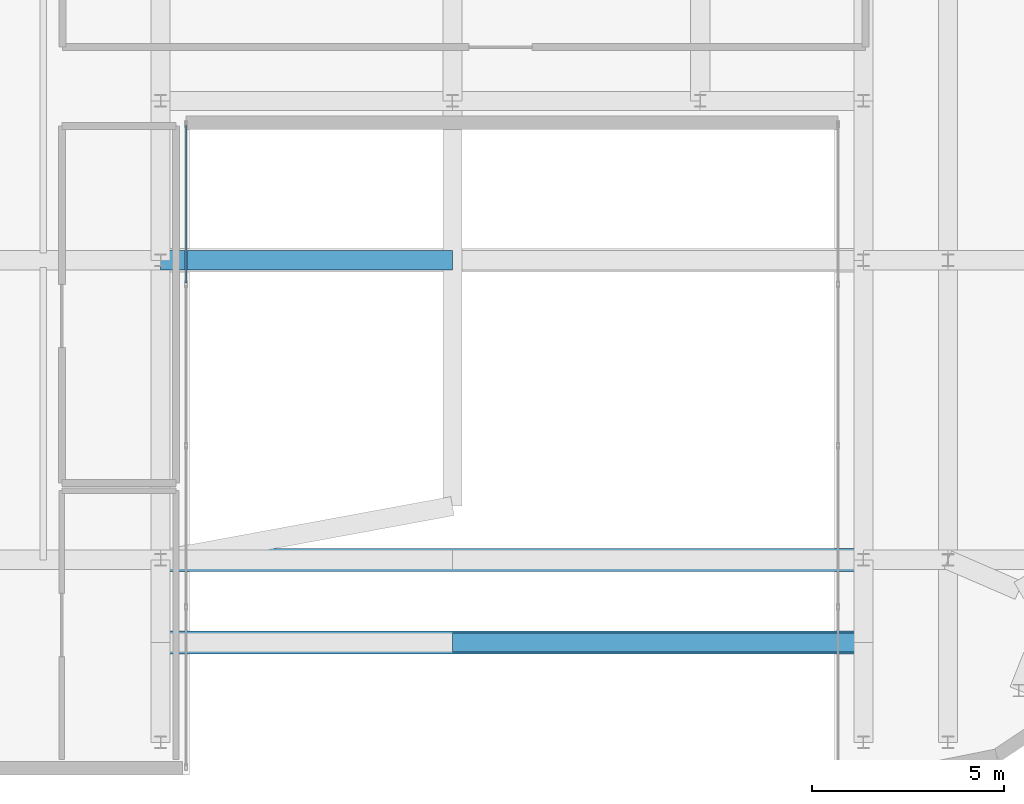
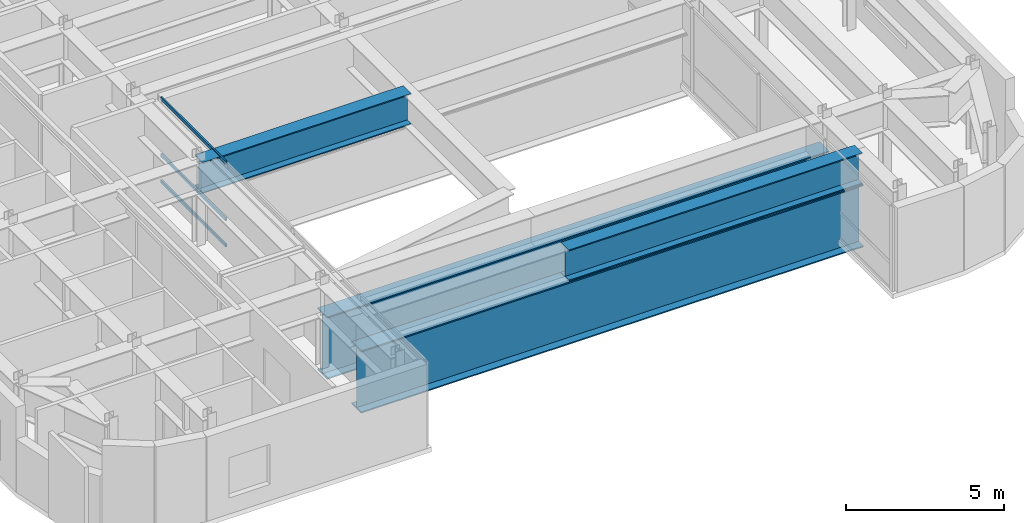
# One storey, part 7 of 21: 4 beams, 3 members, 1 element without a shape of its own.
"""IFC4 building model written with IfcOpenShell, lengths in metres."""

from ifc_helpers import new_model, si_unit, direction, frame, origin, origin_2d, place, context, subcontext, project, spatial, hollow_rectangle, i_section, extrude, source, transform, mapped, material, layer, layer_set, material_profile, profile_set, type_object, type_shapes, element, aggregate, save


model = new_model("IFC4")

# Units and contexts
model_context = context("Model", 3, precision=1e-05, world=origin(), true_north=direction((0.0, 1.0)))
body_context = subcontext(model_context, "Body", "Model", "MODEL_VIEW")
ifc_project = project(units=[si_unit("LENGTHUNIT", "METRE"), si_unit("AREAUNIT", "SQUARE_METRE"), si_unit("VOLUMEUNIT", "CUBIC_METRE"), si_unit("PLANEANGLEUNIT", "RADIAN"), si_unit("MASSUNIT", "GRAM", prefix="KILO")], contexts=[model_context])

# Site, building, storey
site_placement = place(None, origin())
site = spatial("IfcSite", under=ifc_project, at=site_placement, CompositionType="ELEMENT")
building_placement = place(site_placement, origin())
building = spatial("IfcBuilding", under=site, at=building_placement, Name="Tolvann Quenvar Hotel", CompositionType="ELEMENT")
storey_placement = place(building_placement, frame((0.0, 0.0, 266.5)))
storey = spatial("IfcBuildingStorey", under=building, at=storey_placement, Name="L71", CompositionType="ELEMENT", Elevation=266.5)

# Beams
ifc_material_1 = material(Name="Steel Grade 350", Category="steel")
ifc_material_profile_1 = material_profile(ifc_material_1, i_section(OverallWidth=0.5, OverallDepth=1.199951171875, WebThickness=0.01611328125, FlangeThickness=0.0400390625, at=origin_2d()), Name="1200WB455")
ifc_profile_set_1 = profile_set([ifc_material_profile_1], Name="Steel Grade 350")
beam_type_1 = type_object("IfcBeamType", Name="BM_TG_1200WB455", PredefinedType="USERDEFINED", material=ifc_profile_set_1)
shared_shape_1 = source(origin(), body_context, "Body", "SweptSolid", [
    extrude(i_section(OverallWidth=0.5, OverallDepth=1.199951171875, WebThickness=0.01611328125, FlangeThickness=0.0400390625, at=origin_2d()), origin(), (0.0, 0.0, 1.0), 7.60009765625),
])
beam_1_placement = place(storey_placement, frame((14.449951171875, 16.0, 2.64990234375), z_axis=(1.0, 0.0, 0.0), x_axis=(0.0, 1.0, 0.0)))
element("IfcBeam", 1, at=beam_1_placement, inside=storey, type_object=beam_type_1, Name="TG-L71-TOP-Y16A", ObjectType="TRANSFER GIRDER", PredefinedType="USERDEFINED", context=body_context, shape_type="MappedRepresentation", body=[
    mapped(shared_shape_1, transform((0.0, 0.0, 0.0), x_axis=(1.0, 0.0, 0.0), y_axis=(0.0, 1.0, 0.0), z_axis=(0.0, 0.0, 1.0), scale=1.0)),
])
ifc_material_profile_2 = material_profile(ifc_material_1, i_section(OverallWidth=0.60009765625, OverallDepth=2.39990234375, WebThickness=0.02001953125, FlangeThickness=0.044921875, at=origin_2d()), Name="2400WB655")
ifc_profile_set_2 = profile_set([ifc_material_profile_2], Name="Steel Grade 350")
beam_type_2 = type_object("IfcBeamType", Name="BM_TG_2400WB655", PredefinedType="USERDEFINED", material=ifc_profile_set_2)
shared_shape_2 = source(origin(), body_context, "Body", "SweptSolid", [
    extrude(i_section(OverallWidth=0.60009765625, OverallDepth=2.39990234375, WebThickness=0.02001953125, FlangeThickness=0.044921875, at=origin_2d()), origin(), (0.0, 0.0, 1.0), 18.300048828125),
])
type_shapes(beam_type_2, [shared_shape_2])
for number, where, z_axis, x_axis, name in (
    (2, (14.449951171875, 6.050048828125, 0.85009765625), (1.0, 0.0, 0.0), (0.0, 1.0, 0.0), "TG-L71-CAR-Y6"),
    (3, (14.449951171875, 8.199951171875, 0.85009765625), (1.0, 0.0, 0.0), (0.0, 1.0, 0.0), "TG-L71-CAR-Y8"),
):
    element("IfcBeam", number, at=place(storey_placement, frame(where, z_axis=z_axis, x_axis=x_axis)), inside=storey, type_object=beam_type_2, Name=name, ObjectType="TRANSFER GIRDER", PredefinedType="USERDEFINED", context=body_context, shape_type="MappedRepresentation", body=[
        mapped(shared_shape_2, transform((0.0, 0.0, 0.0), x_axis=(1.0, 0.0, 0.0), y_axis=(0.0, 1.0, 0.0), z_axis=(0.0, 0.0, 1.0), scale=1.0)),
    ])
shared_shape_3 = source(origin(), body_context, "Body", "SweptSolid", [
    extrude(i_section(OverallWidth=0.5, OverallDepth=1.199951171875, WebThickness=0.01611328125, FlangeThickness=0.0400390625, at=origin_2d()), origin(), (0.0, 0.0, 1.0), 10.699951171875),
])
type_shapes(beam_type_1, [shared_shape_1, shared_shape_3])
beam_2_placement = place(storey_placement, frame((22.050048828125, 6.050048828125, 2.64990234375), z_axis=(1.0, 0.0, 0.0), x_axis=(0.0, 1.0, 0.0)))
element("IfcBeam", 4, at=beam_2_placement, inside=storey, type_object=beam_type_1, Name="TG-L71-TOP-Y6B", ObjectType="TRANSFER GIRDER", PredefinedType="USERDEFINED", context=body_context, shape_type="MappedRepresentation", body=[
    mapped(shared_shape_3, transform((0.0, 0.0, 0.0), x_axis=(1.0, 0.0, 0.0), y_axis=(0.0, 1.0, 0.0), z_axis=(0.0, 0.0, 1.0), scale=1.0)),
])

# Curtain wall, members
ifc_material_2 = material(Name="Thermally broken anodised architectural aluminium 6063-T6 and laminated low-E glass", Category="aluminium")
ifc_layer = layer(ifc_material_2, 0.179931640625)
ifc_layer_set = layer_set([ifc_layer], Name="Thermally broken anodised architectural aluminium 6063-T6 and laminated low-E glass")
curtain_wall_type = type_object("IfcCurtainWallType", Name="CW_SYS_PORTAL_05", PredefinedType="USERDEFINED", material=ifc_layer_set)
curtain_wall_placement = place(storey_placement, origin())
curtain_wall = element("IfcCurtainWall", 5, at=curtain_wall_placement, inside=storey, type_object=curtain_wall_type, Name="Curtain Wall CW-PORTAL-05 (CWR-L71-E05)", ObjectType="UNITISED CURTAIN WALL", PredefinedType="USERDEFINED")
ifc_material_3 = material(Name="Anodised architectural aluminium 6063-T6 framing", Category="aluminium")
ifc_material_profile_3 = material_profile(ifc_material_3, hollow_rectangle(XDim=0.06005859375, YDim=0.1201171875, WallThickness=0.00341796875, at=origin_2d()), Name="120x60x3.5RHS")
ifc_profile_set_3 = profile_set([ifc_material_profile_3], Name="Anodised architectural aluminium 6063-T6 framing")
member_type = type_object("IfcMemberType", Name="CW_TRAN_120x60", PredefinedType="USERDEFINED", material=ifc_profile_set_3)
shared_shape_4 = source(origin(), body_context, "Body", "SweptSolid", [
    extrude(hollow_rectangle(XDim=0.06005859375, YDim=0.1201171875, WallThickness=0.00341796875, at=origin_2d()), origin(), (0.0, 0.0, 1.0), 4.094970703125),
])
type_shapes(member_type, [shared_shape_4])
member_1_placement = place(storey_placement, frame((15.110107421875, 15.409912109375, 0.030029296875), z_axis=(0.0, 1.0, 0.0), x_axis=(-1.0, 0.0, 0.0)))
member_1 = element("IfcMember", 6, at=member_1_placement, type_object=member_type, Name="CW-PORTAL-05 transom 4.1", ObjectType="TRANSOM", PredefinedType="USERDEFINED", context=body_context, shape_type="MappedRepresentation", body=[
    mapped(shared_shape_4, transform((0.0, 0.0, 0.0), x_axis=(1.0, 0.0, 0.0), y_axis=(0.0, 1.0, 0.0), z_axis=(0.0, 0.0, 1.0), scale=1.0)),
])
member_2_placement = place(storey_placement, frame((15.110107421875, 15.409912109375, 1.0400390625), z_axis=(0.0, 1.0, 0.0), x_axis=(-1.0, 0.0, 0.0)))
member_2 = element("IfcMember", 7, at=member_2_placement, type_object=member_type, Name="CW-PORTAL-05 transom 4.2", ObjectType="TRANSOM", PredefinedType="USERDEFINED", context=body_context, shape_type="MappedRepresentation", body=[
    mapped(shared_shape_4, transform((0.0, 0.0, 0.0), x_axis=(1.0, 0.0, 0.0), y_axis=(0.0, 1.0, 0.0), z_axis=(0.0, 0.0, 1.0), scale=1.0)),
])
member_3_placement = place(storey_placement, frame((15.110107421875, 15.409912109375, 3.219970703125), z_axis=(0.0, 1.0, 0.0), x_axis=(-1.0, 0.0, 0.0)))
member_3 = element("IfcMember", 8, at=member_3_placement, type_object=member_type, Name="CW-PORTAL-05 transom 4.3", ObjectType="TRANSOM", PredefinedType="USERDEFINED", context=body_context, shape_type="MappedRepresentation", body=[
    mapped(shared_shape_4, transform((0.0, 0.0, 0.0), x_axis=(1.0, 0.0, 0.0), y_axis=(0.0, 1.0, 0.0), z_axis=(0.0, 0.0, 1.0), scale=1.0)),
])
aggregate(curtain_wall, [member_1, member_2, member_3])

save(model, "model.ifc")
